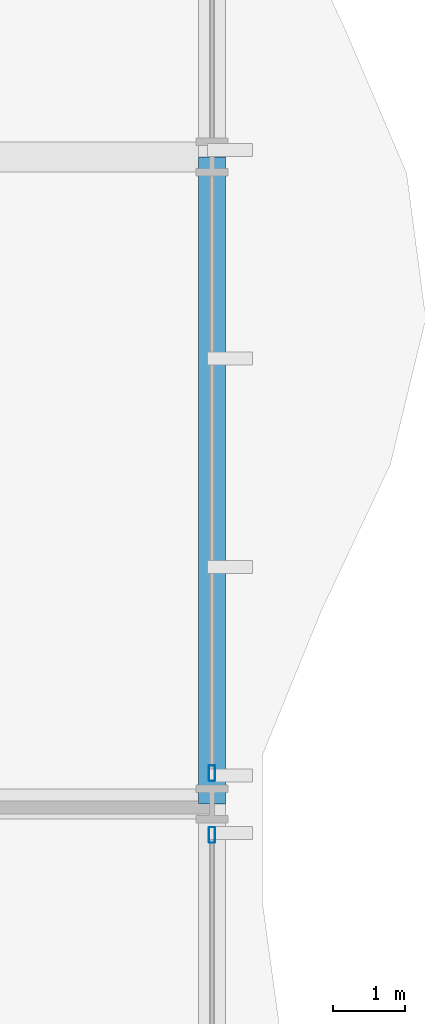
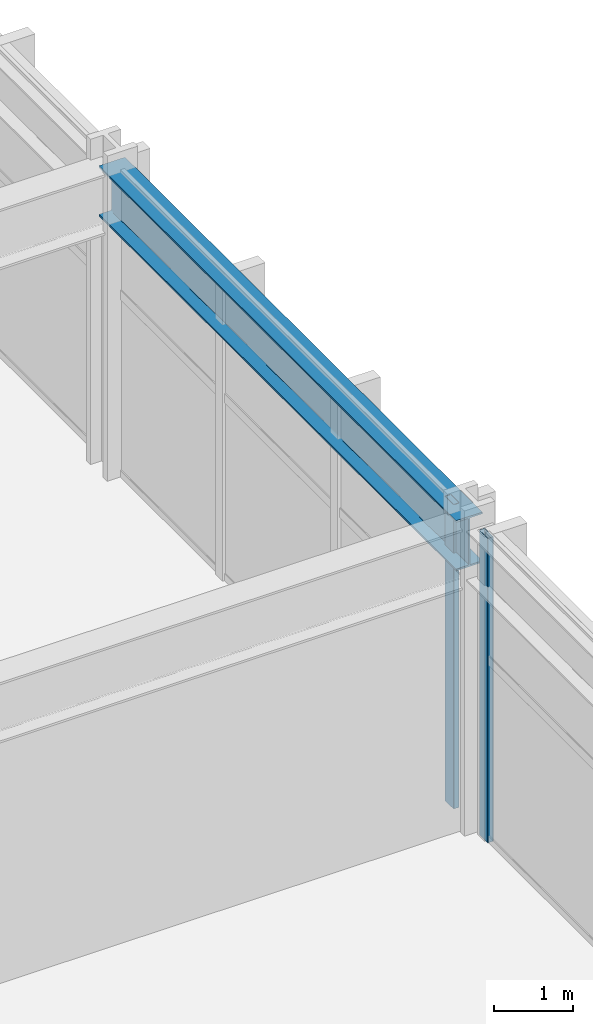
# One storey, part 11 of 28: 2 members, 1 beam, 2 elements without a shape of their own.
"""IFC4 building model written with IfcOpenShell, lengths in metres."""

from ifc_helpers import new_model, si_unit, direction, frame, origin, origin_2d, place, context, subcontext, project, spatial, hollow_rectangle, i_section, extrude, material, layer, layer_set, material_profile, profile_set, type_object, element, aggregate, save


model = new_model("IFC4")

# Units and contexts
model_context = context("Model", 3, precision=1e-05, world=origin(), true_north=direction((0.0, 1.0)))
body_context = subcontext(model_context, "Body", "Model", "MODEL_VIEW")
ifc_project = project(units=[si_unit("LENGTHUNIT", "METRE"), si_unit("AREAUNIT", "SQUARE_METRE"), si_unit("VOLUMEUNIT", "CUBIC_METRE"), si_unit("PLANEANGLEUNIT", "RADIAN"), si_unit("MASSUNIT", "GRAM", prefix="KILO")], contexts=[model_context])

# Site, building, storey
site_placement = place(None, origin())
site = spatial("IfcSite", under=ifc_project, at=site_placement, CompositionType="ELEMENT")
building_placement = place(site_placement, origin())
building = spatial("IfcBuilding", under=site, at=building_placement, Name="Solvaryn Broadcast Tower", CompositionType="ELEMENT")
storey_placement = place(building_placement, frame((0.0, 0.0, 16.199951171875)))
storey = spatial("IfcBuildingStorey", under=building, at=storey_placement, Name="L03", CompositionType="ELEMENT", Elevation=16.199951171875)

# Beam
ifc_material_1 = material(Name="Steel ASTM A992 Grade 50", Category="steel")
ifc_material_profile_1 = material_profile(ifc_material_1, i_section(OverallWidth=0.381103515625, OverallDepth=0.77294921875, WebThickness=0.0166015625, FlangeThickness=0.027099609375, FilletRadius=0.01806640625, at=origin_2d()))
ifc_profile_set_1 = profile_set([ifc_material_profile_1], Name="Steel ASTM A992 Grade 50")
beam_type = type_object("IfcBeamType", Name="BM-SP1-W30X173", PredefinedType="USERDEFINED", material=ifc_profile_set_1)
beam_placement = place(storey_placement, frame((63.0, 27.0, 4.29345703125), z_axis=(0.0, 1.0, 0.0), x_axis=(-1.0, 0.0, 0.0)))
element("IfcBeam", 1, at=beam_placement, inside=storey, type_object=beam_type, Name="L03 Spandrel Beam Y (27-36 @ X=63)", ObjectType="SPANDREL", PredefinedType="USERDEFINED", context=body_context, shape_type="SweptSolid", body=[
    extrude(i_section(OverallWidth=0.381103515625, OverallDepth=0.77294921875, WebThickness=0.0166015625, FlangeThickness=0.027099609375, FilletRadius=0.01806640625, at=origin_2d()), origin(), (0.0, 0.0, 1.0), 9.0),
])

# Curtain wall, member
ifc_material_2 = material(Name="Aluminium and Terracotta Unitised Curtain Wall", Category="masonry")
ifc_layer = layer(ifc_material_2, 0.219970703125)
ifc_layer_set = layer_set([ifc_layer], Name="CW-SYS1-PODIUM")
curtain_wall_type = type_object("IfcCurtainWallType", Name="CW-SYS1-PODIUM", PredefinedType="NOTDEFINED", material=ifc_layer_set)
curtain_wall_1_placement = place(storey_placement, origin())
curtain_wall_1 = element("IfcCurtainWall", 2, at=curtain_wall_1_placement, inside=storey, type_object=curtain_wall_type, Name="L03 Podium Curtain Wall E1", PredefinedType="NOTDEFINED")
ifc_material_3 = material(Name="Anodised Aluminium 6063-T6", Category="aluminium")
ifc_material_profile_2 = material_profile(ifc_material_3, hollow_rectangle(XDim=0.0849609375, YDim=0.219970703125, WallThickness=0.0048828125, InnerFilletRadius=0.0048828125, OuterFilletRadius=0.010009765625, at=origin_2d()))
ifc_profile_set_2 = profile_set([ifc_material_profile_2], Name="Anodised Aluminium 6063-T6")
member_type = type_object("IfcMemberType", Name="CW-MUL-220", PredefinedType="MULLION", material=ifc_profile_set_2)
member_1_placement = place(storey_placement, frame((63.0, 27.429931640625, 0.0), z_axis=(0.0, 0.0, 1.0), x_axis=(1.0, 0.0, 0.0)))
member_1 = element("IfcMember", 3, at=member_1_placement, type_object=member_type, Name="CWS1 mullion 3", PredefinedType="MULLION", context=body_context, shape_type="SweptSolid", body=[
    extrude(hollow_rectangle(XDim=0.0849609375, YDim=0.219970703125, WallThickness=0.0048828125, InnerFilletRadius=0.0048828125, OuterFilletRadius=0.010009765625, at=origin_2d()), origin(), (0.0, 0.0, 1.0), 4.679931640625),
])
aggregate(curtain_wall_1, [member_1])

curtain_wall_2_placement = place(storey_placement, origin())
curtain_wall_2 = element("IfcCurtainWall", 4, at=curtain_wall_2_placement, inside=storey, type_object=curtain_wall_type, Name="L03 Podium Curtain Wall E2", PredefinedType="NOTDEFINED")
member_2_placement = place(storey_placement, frame((63.0, 26.570068359375, 0.0), z_axis=(0.0, 0.0, 1.0), x_axis=(1.0, 0.0, 0.0)))
member_2 = element("IfcMember", 5, at=member_2_placement, type_object=member_type, Name="CWS1 mullion 1", PredefinedType="MULLION", context=body_context, shape_type="SweptSolid", body=[
    extrude(hollow_rectangle(XDim=0.0849609375, YDim=0.219970703125, WallThickness=0.0048828125, InnerFilletRadius=0.0048828125, OuterFilletRadius=0.010009765625, at=origin_2d()), origin(), (0.0, 0.0, 1.0), 4.679931640625),
])
aggregate(curtain_wall_2, [member_2])

save(model, "model.ifc")
